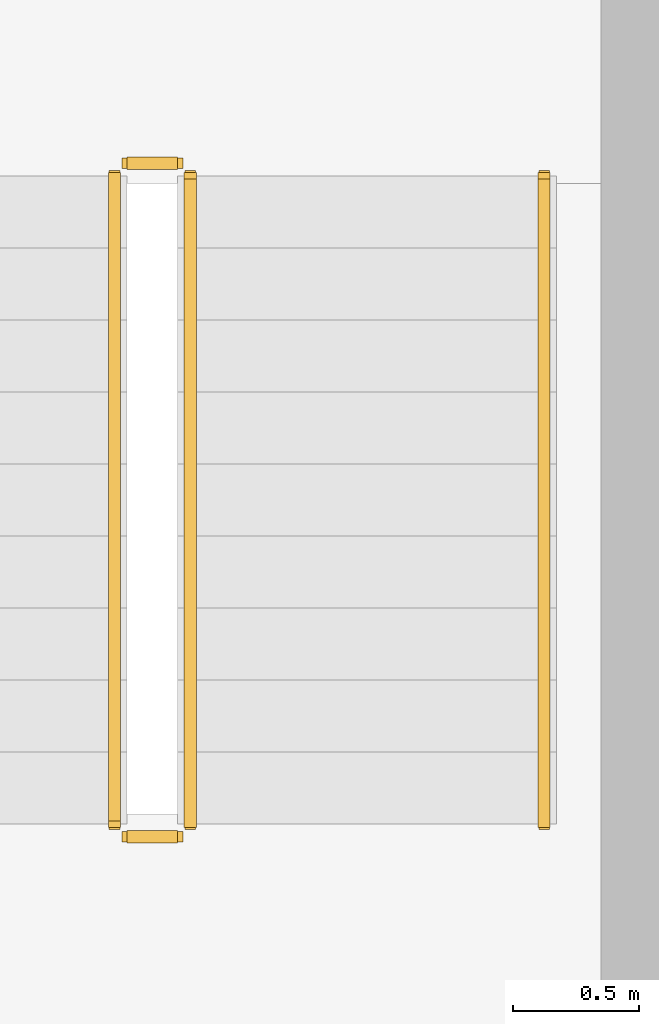
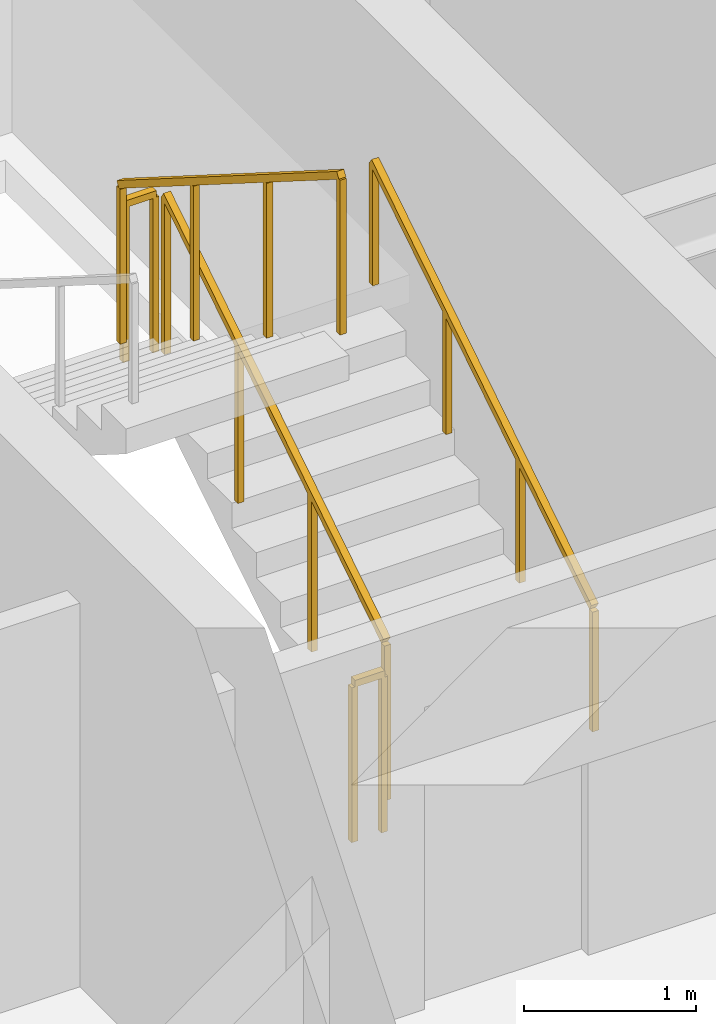
# One storey, part 23 of 23: 5 railings.
"""IFC4 building model written with IfcOpenShell, lengths in metres."""

from ifc_helpers import new_model, si_unit, direction, frame, origin, origin_2d, place, context, subcontext, project, spatial, rectangle, extrude, material, type_object, element, save


model = new_model("IFC4")

# Units and contexts
model_context = context("Model", 3, precision=1e-05, world=origin(), true_north=direction((0.0, 1.0)))
body_context = subcontext(model_context, "Body", "Model", "MODEL_VIEW")
ifc_project = project(units=[si_unit("LENGTHUNIT", "METRE"), si_unit("AREAUNIT", "SQUARE_METRE"), si_unit("VOLUMEUNIT", "CUBIC_METRE"), si_unit("PLANEANGLEUNIT", "RADIAN"), si_unit("MASSUNIT", "GRAM", prefix="KILO")], contexts=[model_context])

# Site, building, storey
site_placement = place(None, origin())
site = spatial("IfcSite", under=ifc_project, at=site_placement, CompositionType="ELEMENT")
building_placement = place(site_placement, origin())
building = spatial("IfcBuilding", under=site, at=building_placement, Name="Sarneth Arch Tower", CompositionType="ELEMENT")
storey_placement = place(building_placement, frame((0.0, 0.0, 269.39990234375)))
storey = spatial("IfcBuildingStorey", under=building, at=storey_placement, Name="L69", CompositionType="ELEMENT", Elevation=269.39990234375)

# Railings
ifc_material_1 = material(Name="Brushed Stainless Steel 304 tubular handrail", Category="steel")
railing_type_1 = type_object("IfcRailingType", Name="RAIL-HANDRAIL-900", PredefinedType="HANDRAIL", material=ifc_material_1)
railing_1_placement = place(storey_placement, frame((58.60009765625, 41.449951171875, 0.18017578125)))
element("IfcRailing", 1, at=railing_1_placement, inside=storey, type_object=railing_type_1, Name="L69 ST-2 stair handrail 1", PredefinedType="HANDRAIL", context=body_context, shape_type="SweptSolid", body=[
    extrude(rectangle(XDim=0.048095703125, YDim=0.048095703125, at=origin_2d()), frame((0.0, 0.0, 0.8759765625), z_axis=(0.0, 0.845502289212, 0.533971796014), x_axis=(-1.0, 0.0, 0.0)), (0.0, 0.0, 1.0), 3.03369140625),
    extrude(rectangle(XDim=0.0419921875, YDim=0.0419921875, at=origin_2d()), origin(), (0.0, 0.0, 1.0), 0.851806640625),
    extrude(rectangle(XDim=0.0419921875, YDim=0.0419921875, at=origin_2d()), frame((0.0, 0.85498046875, 0.5400390625)), (0.0, 0.0, 1.0), 0.851806640625),
    extrude(rectangle(XDim=0.0419921875, YDim=0.0419921875, at=origin_2d()), frame((0.0, 1.7099609375, 1.079833984375)), (0.0, 0.0, 1.0), 0.851806640625),
    extrude(rectangle(XDim=0.0419921875, YDim=0.0419921875, at=origin_2d()), frame((0.0, 2.56494140625, 1.619873046875)), (0.0, 0.0, 1.0), 0.851806640625),
])
ifc_material_2 = material(Name="Painted Steel S275 stair well guard", Category="steel")
railing_type_2 = type_object("IfcRailingType", Name="RAIL-STAIR-GUARD", PredefinedType="GUARDRAIL", material=ifc_material_2)
railing_2_placement = place(storey_placement, frame((57.199951171875, 41.449951171875, 0.18017578125)))
element("IfcRailing", 2, at=railing_2_placement, inside=storey, type_object=railing_type_2, Name="L69 ST-2 stair guard 1", PredefinedType="GUARDRAIL", context=body_context, shape_type="SweptSolid", body=[
    extrude(rectangle(XDim=0.048095703125, YDim=0.048095703125, at=origin_2d()), frame((0.0, 0.0, 1.1259765625), z_axis=(0.0, 0.845502289212, 0.533971796014), x_axis=(-1.0, 0.0, 0.0)), (0.0, 0.0, 1.0), 3.03369140625),
    extrude(rectangle(XDim=0.0419921875, YDim=0.0419921875, at=origin_2d()), origin(), (0.0, 0.0, 1.0), 1.101806640625),
    extrude(rectangle(XDim=0.0419921875, YDim=0.0419921875, at=origin_2d()), frame((0.0, 0.85498046875, 0.5400390625)), (0.0, 0.0, 1.0), 1.101806640625),
    extrude(rectangle(XDim=0.0419921875, YDim=0.0419921875, at=origin_2d()), frame((0.0, 1.7099609375, 1.079833984375)), (0.0, 0.0, 1.0), 1.101806640625),
    extrude(rectangle(XDim=0.0419921875, YDim=0.0419921875, at=origin_2d()), frame((0.0, 2.56494140625, 1.619873046875)), (0.0, 0.0, 1.0), 1.101806640625),
])
railing_3_placement = place(storey_placement, frame((57.14990234375, 44.06494140625, 1.800048828125)))
element("IfcRailing", 3, at=railing_3_placement, inside=storey, type_object=railing_type_2, Name="L69 ST-2 stair guard 2", PredefinedType="GUARDRAIL", context=body_context, shape_type="SweptSolid", body=[
    extrude(rectangle(XDim=0.048095703125, YDim=0.048095703125, at=origin_2d()), frame((0.0, 0.0, 1.1259765625), z_axis=(-1.0, 0.0, 0.0), x_axis=(0.0, -1.0, 0.0)), (0.0, 0.0, 1.0), 0.199951171875),
    extrude(rectangle(XDim=0.0419921875, YDim=0.0419921875, at=origin_2d()), origin(), (0.0, 0.0, 1.0), 1.101806640625),
    extrude(rectangle(XDim=0.0419921875, YDim=0.0419921875, at=origin_2d()), frame((-0.199951171875, 0.0, 0.0)), (0.0, 0.0, 1.0), 1.101806640625),
])
railing_4_placement = place(storey_placement, frame((56.89990234375, 44.014892578125, 1.97998046875)))
element("IfcRailing", 4, at=railing_4_placement, inside=storey, type_object=railing_type_2, Name="L69 ST-2 stair guard 3", PredefinedType="GUARDRAIL", context=body_context, shape_type="SweptSolid", body=[
    extrude(rectangle(XDim=0.048095703125, YDim=0.048095703125, at=origin_2d()), frame((0.0, 0.0, 1.1259765625), z_axis=(0.0, -0.845465955043, 0.534029323973), x_axis=(1.0, 0.0, 0.0)), (0.0, 0.0, 1.0), 3.03369140625),
    extrude(rectangle(XDim=0.0419921875, YDim=0.0419921875, at=origin_2d()), origin(), (0.0, 0.0, 1.0), 1.101806640625),
    extrude(rectangle(XDim=0.0419921875, YDim=0.0419921875, at=origin_2d()), frame((0.0, -0.85498046875, 0.5400390625)), (0.0, 0.0, 1.0), 1.101806640625),
    extrude(rectangle(XDim=0.0419921875, YDim=0.0419921875, at=origin_2d()), frame((0.0, -1.7099609375, 1.080078125)), (0.0, 0.0, 1.0), 1.101806640625),
    extrude(rectangle(XDim=0.0419921875, YDim=0.0419921875, at=origin_2d()), frame((0.0, -2.56494140625, 1.6201171875)), (0.0, 0.0, 1.0), 1.101806640625),
])
railing_5_placement = place(storey_placement, frame((57.14990234375, 41.39990234375, 0.0)))
element("IfcRailing", 5, at=railing_5_placement, inside=storey, type_object=railing_type_2, Name="L69 ST-2 stair guard 4", PredefinedType="GUARDRAIL", context=body_context, shape_type="SweptSolid", body=[
    extrude(rectangle(XDim=0.048095703125, YDim=0.048095703125, at=origin_2d()), frame((0.0, 0.0, 1.1259765625), z_axis=(-1.0, 0.0, 0.0), x_axis=(0.0, -1.0, 0.0)), (0.0, 0.0, 1.0), 0.199951171875),
    extrude(rectangle(XDim=0.0419921875, YDim=0.0419921875, at=origin_2d()), origin(), (0.0, 0.0, 1.0), 1.101806640625),
    extrude(rectangle(XDim=0.0419921875, YDim=0.0419921875, at=origin_2d()), frame((-0.199951171875, 0.0, 0.0)), (0.0, 0.0, 1.0), 1.101806640625),
])

save(model, "model.ifc")
